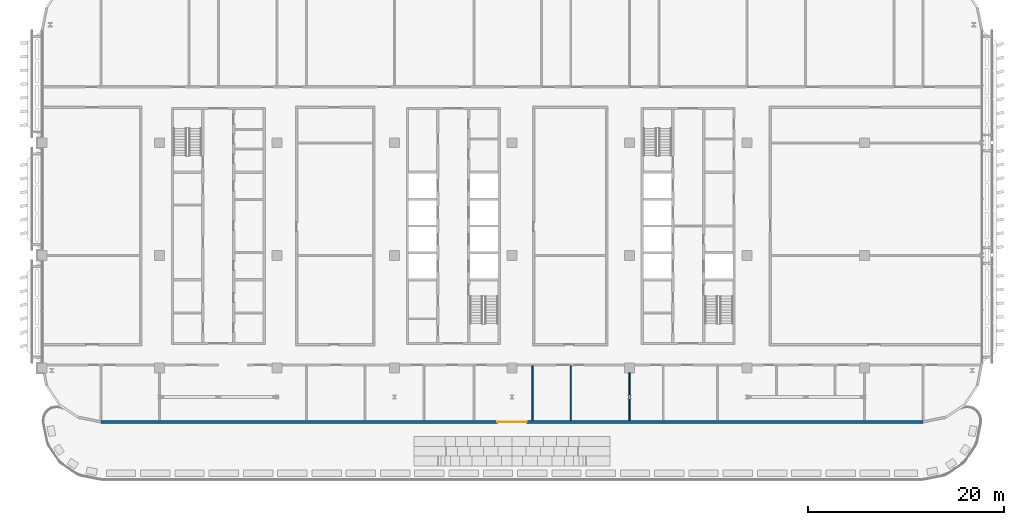
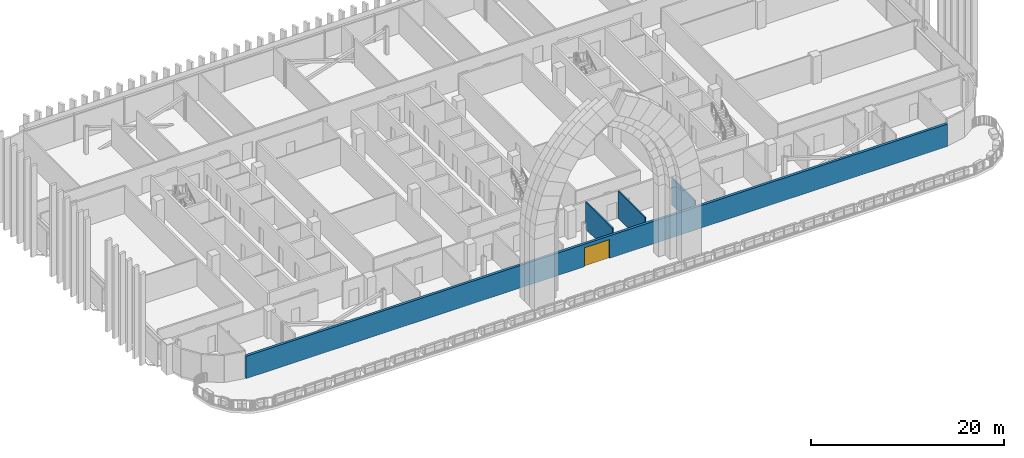
# One storey, part 11 of 30: 4 walls, 1 door, 1 opening.
"""IFC4 building model written with IfcOpenShell, lengths in metres."""

from ifc_helpers import new_model, si_unit, direction, frame, frame_2d, origin, place, context, subcontext, project, spatial, rectangle, extrude, material, layer, layer_set, type_object, element, fill, save


model = new_model("IFC4")

# Units and contexts
model_context = context("Model", 3, precision=1e-05, world=origin(), true_north=direction((0.0, 1.0)))
body_context = subcontext(model_context, "Body", "Model", "MODEL_VIEW")
ifc_project = project(units=[si_unit("LENGTHUNIT", "METRE"), si_unit("AREAUNIT", "SQUARE_METRE"), si_unit("VOLUMEUNIT", "CUBIC_METRE"), si_unit("PLANEANGLEUNIT", "RADIAN"), si_unit("MASSUNIT", "GRAM", prefix="KILO")], contexts=[model_context])

# Site, building, storey
site_placement = place(None, origin())
site = spatial("IfcSite", under=ifc_project, at=site_placement, CompositionType="ELEMENT")
building_placement = place(site_placement, origin())
building = spatial("IfcBuilding", under=site, at=building_placement, Name="Mahtab Terrace Research Tower", CompositionType="ELEMENT")
storey_placement = place(building_placement, frame((0.0, 0.0, 228.60009765625)))
storey = spatial("IfcBuildingStorey", under=building, at=storey_placement, Name="L55", CompositionType="ELEMENT", Elevation=228.60009765625)

# Wall, opening, door
ifc_material_1 = material(Name="Black aluminium cladding panel", Category="aluminium")
ifc_layer_1 = layer(ifc_material_1, 0.300048828125)
ifc_layer_set_1 = layer_set([ifc_layer_1], Name="Opaque facade wall 300")
wall_type_1 = type_object("IfcWallType", Name="Opaque facade wall 300", PredefinedType="NOTDEFINED", material=ifc_layer_set_1)
wall_1_placement = place(storey_placement, frame((-36.0, -17.0, 0.0), z_axis=(0.0, 0.0, 1.0), x_axis=(1.0, 0.0, 0.0)))
wall_1 = element("IfcWall", 1, at=wall_1_placement, inside=storey, type_object=wall_type_1, Name="Opaque facade wall L55 S15", PredefinedType="NOTDEFINED", context=body_context, shape_type="SweptSolid", body=[
    extrude(rectangle(XDim=84.0, YDim=0.300048828125, at=frame_2d((42.0, 0.0))), origin(), (0.0, 0.0, 1.0), 2.852783203125),
])
opening_placement = place(wall_1_placement, frame((40.5, 0.0, 0.0)))
opening = element("IfcOpeningElement", 2, at=opening_placement, cuts=wall_1, Name="Opening ED1", PredefinedType="OPENING", context=body_context, shape_type="SweptSolid", body=[
    extrude(rectangle(XDim=3.0, YDim=2.39990234375, at=frame_2d((1.5, 1.199951171875))), frame((0.0, 0.159912109375, 0.0), z_axis=(0.0, -1.0, 0.0), x_axis=(1.0, 0.0, 0.0)), (0.0, 0.0, 1.0), 0.320068359375),
])
ifc_material_2 = material(Name="Black anodised aluminium", Category="aluminium")
door_type = type_object("IfcDoorType", Name="Terrace double door 3000x2400", OperationType="DOUBLE_DOOR_DOUBLE_SWING", PredefinedType="DOOR", material=ifc_material_2)
door_placement = place(opening_placement, origin())
door = element("IfcDoor", 3, at=door_placement, inside=storey, type_object=door_type, Name="Terrace door L55 S", OperationType="SINGLE_SWING_LEFT", OverallHeight=2.39990234375, OverallWidth=3.0, PredefinedType="DOOR", context=body_context, shape_type="SweptSolid", body=[
    extrude(rectangle(XDim=3.0, YDim=2.39990234375, at=frame_2d((1.5, 1.199951171875))), frame((0.0, 0.02490234375, 0.0), z_axis=(0.0, -1.0, 0.0), x_axis=(1.0, 0.0, 0.0)), (0.0, 0.0, 1.0), 0.050048828125),
])
fill(opening, door)

# Walls
ifc_material_3 = material(Name="Gypsum board partition on steel studs", Category="steel")
ifc_layer_2 = layer(ifc_material_3, 0.14990234375)
ifc_layer_set_2 = layer_set([ifc_layer_2], Name="WALL PARTITION 150")
wall_type_2 = type_object("IfcWallType", Name="WALL PARTITION 150", PredefinedType="PARTITIONING", material=ifc_layer_set_2)
for number, where, z_axis, x_axis, name in (
    (4, (8.10009765625, -16.85009765625, 0.0), (0.0, 0.0, 1.0), (0.0, 1.0, 0.0), "L55-W044"),
    (5, (12.0, -16.85009765625, 0.0), (0.0, 0.0, 1.0), (0.0, 1.0, 0.0), "L55-W047"),
):
    element("IfcWall", number, at=place(storey_placement, frame(where, z_axis=z_axis, x_axis=x_axis)), inside=storey, type_object=wall_type_2, Name=name, PredefinedType="PARTITIONING", context=body_context, shape_type="SweptSolid", body=[
        extrude(rectangle(XDim=5.550048828125, YDim=0.14990234375, at=frame_2d((2.77490234375, 0.0))), origin(), (0.0, 0.0, 1.0), 3.4599609375),
    ])
wall_2_placement = place(storey_placement, frame((18.0, -16.85009765625, 0.0), z_axis=(0.0, 0.0, 1.0), x_axis=(0.0, 1.0, 0.0)))
element("IfcWall", 6, at=wall_2_placement, inside=storey, type_object=wall_type_2, Name="L55-W050", PredefinedType="PARTITIONING", context=body_context, shape_type="SweptSolid", body=[
    extrude(rectangle(XDim=4.85009765625, YDim=0.14990234375, at=frame_2d((2.425048828125, 0.0))), origin(), (0.0, 0.0, 1.0), 3.4599609375),
])

save(model, "model.ifc")
